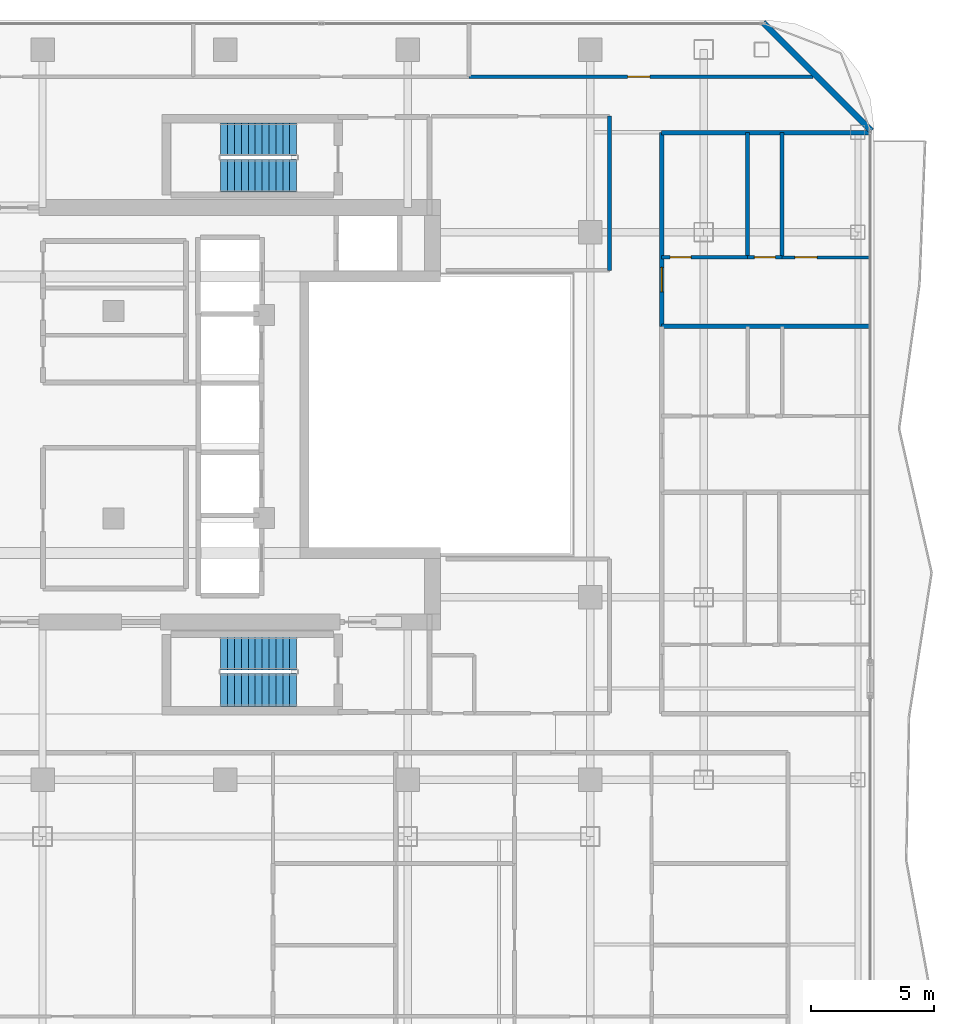
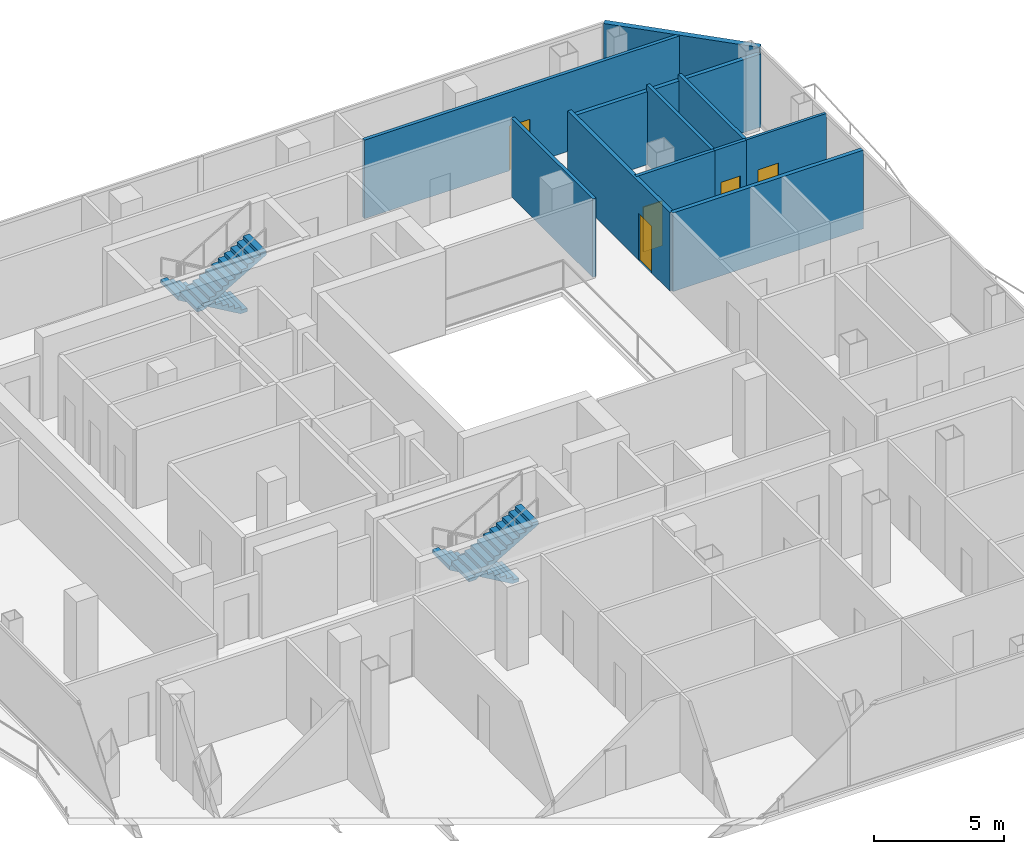
# One storey, part 24 of 27: 11 walls, 5 doors, 4 stair flights, 5 openings, 2 elements without a shape of their own.
"""IFC4 building model written with IfcOpenShell, lengths in metres."""

from ifc_helpers import new_model, si_unit, direction, frame, frame_2d, origin, place, context, subcontext, project, spatial, polyline, rectangle, outline, extrude, material, layer, layer_set, type_object, element, fill, aggregate, save


model = new_model("IFC4")

# Units and contexts
model_context = context("Model", 3, precision=1e-05, world=origin(), true_north=direction((0.0, 1.0)))
body_context = subcontext(model_context, "Body", "Model", "MODEL_VIEW")
ifc_project = project(units=[si_unit("LENGTHUNIT", "METRE"), si_unit("AREAUNIT", "SQUARE_METRE"), si_unit("VOLUMEUNIT", "CUBIC_METRE"), si_unit("PLANEANGLEUNIT", "RADIAN"), si_unit("MASSUNIT", "GRAM", prefix="KILO")], contexts=[model_context])

# Site, building, storey
site_placement = place(None, origin())
site = spatial("IfcSite", under=ifc_project, at=site_placement, CompositionType="ELEMENT")
building_placement = place(site_placement, origin())
building = spatial("IfcBuilding", under=site, at=building_placement, Name="Khorvyn Point Tower", CompositionType="ELEMENT")
storey_placement = place(building_placement, frame((0.0, 0.0, 246.89990234375)))
storey = spatial("IfcBuildingStorey", under=building, at=storey_placement, Name="L60", CompositionType="ELEMENT", Elevation=246.89990234375)

# Wall, opening, door
ifc_material_1 = material(Name="Double acoustic gypsum on twin steel stud", Category="steel")
ifc_layer_1 = layer(ifc_material_1, 0.179931640625)
ifc_layer_set_1 = layer_set([ifc_layer_1], Name="Acoustic Double-Stud Apartment Demising Wall 180")
wall_type_1 = type_object("IfcWallType", Name="Acoustic Double-Stud Apartment Demising Wall 180", PredefinedType="PARTITIONING", material=ifc_layer_set_1)
wall_1_placement = place(storey_placement, frame((17.699951171875, 3.580078125, 0.0), z_axis=(0.0, 0.0, 1.0), x_axis=(0.0, 1.0, 0.0)))
wall_1 = element("IfcWall", 1, at=wall_1_placement, inside=storey, type_object=wall_type_1, Name="Wall", PredefinedType="PARTITIONING", context=body_context, shape_type="SweptSolid", body=[
    extrude(rectangle(XDim=7.849853515625, YDim=0.179931640625, at=frame_2d((3.9248046875, 0.0))), origin(), (0.0, 0.0, 1.0), 3.68017578125),
])
opening_1_placement = place(wall_1_placement, frame((1.3955078125, 0.0, 0.0)))
opening_1 = element("IfcOpeningElement", 2, at=opening_1_placement, cuts=wall_1, Name="Opening ID-AP60", PredefinedType="OPENING", context=body_context, shape_type="SweptSolid", body=[
    extrude(rectangle(XDim=1.0, YDim=2.199951171875, at=frame_2d((0.5, 1.10009765625))), frame((0.0, 0.099853515625, 0.0), z_axis=(0.0, -1.0, 0.0), x_axis=(1.0, 0.0, 0.0)), (0.0, 0.0, 1.0), 0.199951171875),
])
ifc_material_2 = material(Name="Engineered hardwood fire-rated leaf", Category="wood")
door_type_1 = type_object("IfcDoorType", Name="Acoustic Solid-Core Timber Apartment Entrance Door 1000x2200", OperationType="NOTDEFINED", PredefinedType="DOOR", material=ifc_material_2)
door_1_placement = place(opening_1_placement, origin())
door_1 = element("IfcDoor", 3, at=door_1_placement, inside=storey, type_object=door_type_1, Name="Door", OperationType="SINGLE_SWING_RIGHT", OverallHeight=2.199951171875, OverallWidth=1.0, PredefinedType="DOOR", context=body_context, shape_type="SweptSolid", body=[
    extrude(rectangle(XDim=1.0, YDim=2.199951171875, at=frame_2d((0.5, 1.10009765625))), frame((0.0, 0.02490234375, 0.0), z_axis=(0.0, -1.0, 0.0), x_axis=(1.0, 0.0, 0.0)), (0.0, 0.0, 1.0), 0.050048828125),
])
fill(opening_1, door_1)

# Walls
wall_2_placement = place(storey_placement, frame((17.699951171875, 3.580078125, 0.0), z_axis=(0.0, 0.0, 1.0), x_axis=(1.0, 0.0, 0.0)))
element("IfcWall", 4, at=wall_2_placement, inside=storey, type_object=wall_type_1, Name="Wall", PredefinedType="PARTITIONING", context=body_context, shape_type="SweptSolid", body=[
    extrude(rectangle(XDim=8.429931640625, YDim=0.179931640625, at=frame_2d((4.21484375, 0.0))), origin(), (0.0, 0.0, 1.0), 3.68017578125),
])
wall_3_placement = place(storey_placement, frame((17.699951171875, 11.429931640625, 0.0), z_axis=(0.0, 0.0, 1.0), x_axis=(1.0, 0.0, 0.0)))
element("IfcWall", 5, at=wall_3_placement, inside=storey, type_object=wall_type_1, Name="Wall", PredefinedType="PARTITIONING", context=body_context, shape_type="SweptSolid", body=[
    extrude(rectangle(XDim=8.429931640625, YDim=0.179931640625, at=frame_2d((4.21484375, 0.0))), origin(), (0.0, 0.0, 1.0), 3.420166015625),
])
ifc_material_3 = material(Name="Pale anodised aluminium rainscreen on steel stud", Category="steel")
ifc_layer_2 = layer(ifc_material_3, 0.239990234375)
ifc_layer_set_2 = layer_set([ifc_layer_2], Name="Anodised Aluminium Insulated Corner Spandrel Wall 240")
wall_type_2 = type_object("IfcWallType", Name="Anodised Aluminium Insulated Corner Spandrel Wall 240", PredefinedType="SOLIDWALL", material=ifc_layer_set_2)
wall_4_placement = place(storey_placement, frame((21.8076171875, 15.892333984375, 0.0), z_axis=(0.0, 0.0, 1.0), x_axis=(0.707106781187, -0.707106781187, 0.0)))
element("IfcWall", 6, at=wall_4_placement, inside=storey, type_object=wall_type_2, Name="L60 Rounded Corner Wall NE", PredefinedType="SOLIDWALL", context=body_context, shape_type="SweptSolid", body=[
    extrude(rectangle(XDim=6.200927734375, YDim=0.239990234375, at=frame_2d((3.1005859375, 0.0))), origin(), (0.0, 0.0, 1.0), 3.68017578125),
])

# Wall, opening, door
ifc_material_4 = material(Name="Gypsum plasterboard on steel stud", Category="steel")
ifc_layer_3 = layer(ifc_material_4, 0.1201171875)
ifc_layer_set_3 = layer_set([ifc_layer_3], Name="Gypsum Acoustic Stud Room Partition Wall 120")
wall_type_3 = type_object("IfcWallType", Name="Gypsum Acoustic Stud Room Partition Wall 120", PredefinedType="PARTITIONING", material=ifc_layer_set_3)
wall_5_placement = place(storey_placement, frame((22.577880859375, 6.3798828125, 0.0), z_axis=(0.0, 0.0, 1.0), x_axis=(1.0, 0.0, 0.0)))
wall_5 = element("IfcWall", 7, at=wall_5_placement, inside=storey, type_object=wall_type_3, Name="Wall", PredefinedType="PARTITIONING", context=body_context, shape_type="SweptSolid", body=[
    extrude(rectangle(XDim=3.552001953125, YDim=0.1201171875, at=frame_2d((1.77587890625, 0.0))), origin(), (0.0, 0.0, 1.0), 3.68017578125),
])
opening_2_placement = place(wall_5_placement, frame((0.518798828125, 0.0, 0.0)))
opening_2 = element("IfcOpeningElement", 8, at=opening_2_placement, cuts=wall_5, Name="Opening ID-RM90", PredefinedType="OPENING", context=body_context, shape_type="SweptSolid", body=[
    extrude(rectangle(XDim=0.89990234375, YDim=2.10009765625, at=frame_2d((0.449951171875, 1.050048828125))), frame((0.0, 0.070068359375, 0.0), z_axis=(0.0, -1.0, 0.0), x_axis=(1.0, 0.0, 0.0)), (0.0, 0.0, 1.0), 0.14013671875),
])
ifc_material_5 = material(Name="Engineered oak veneer timber", Category="wood")
door_type_2 = type_object("IfcDoorType", Name="Flush Engineered Timber Room Door 900x2100", OperationType="NOTDEFINED", PredefinedType="DOOR", material=ifc_material_5)
door_2_placement = place(opening_2_placement, origin())
door_2 = element("IfcDoor", 9, at=door_2_placement, inside=storey, type_object=door_type_2, Name="Door", OperationType="SINGLE_SWING_LEFT", OverallHeight=2.10009765625, OverallWidth=0.89990234375, PredefinedType="DOOR", context=body_context, shape_type="SweptSolid", body=[
    extrude(rectangle(XDim=0.89990234375, YDim=2.10009765625, at=frame_2d((0.449951171875, 1.050048828125))), frame((0.0, 0.02490234375, 0.0), z_axis=(0.0, -1.0, 0.0), x_axis=(1.0, 0.0, 0.0)), (0.0, 0.0, 1.0), 0.050048828125),
])
fill(opening_2, door_2)

ifc_material_6 = material(Name="Moisture-resistant gypsum and cement board", Category="gypsum")
ifc_layer_4 = layer(ifc_material_6, 0.14990234375)
ifc_layer_set_4 = layer_set([ifc_layer_4], Name="Moisture-Resistant Wet-Room Partition Wall 150")
wall_type_4 = type_object("IfcWallType", Name="Moisture-Resistant Wet-Room Partition Wall 150", PredefinedType="PARTITIONING", material=ifc_layer_set_4)
wall_6_placement = place(storey_placement, frame((9.89111328125, 13.699951171875, 0.0), z_axis=(0.0, 0.0, 1.0), x_axis=(1.0, 0.0, 0.0)))
wall_6 = element("IfcWall", 10, at=wall_6_placement, inside=storey, type_object=wall_type_4, Name="Wall", PredefinedType="PARTITIONING", context=body_context, shape_type="SweptSolid", body=[
    extrude(rectangle(XDim=13.93896484375, YDim=0.14990234375, at=frame_2d((6.969482421875, 0.0))), origin(), (0.0, 0.0, 1.0), 3.68017578125),
])
opening_3_placement = place(wall_6_placement, frame((6.429931640625, 0.0, 0.0)))
opening_3 = element("IfcOpeningElement", 11, at=opening_3_placement, cuts=wall_6, Name="Opening ID-RM90", PredefinedType="OPENING", context=body_context, shape_type="SweptSolid", body=[
    extrude(rectangle(XDim=0.89990234375, YDim=2.10009765625, at=frame_2d((0.449951171875, 1.050048828125))), frame((0.0, 0.0849609375, 0.0), z_axis=(0.0, -1.0, 0.0), x_axis=(1.0, 0.0, 0.0)), (0.0, 0.0, 1.0), 0.169921875),
])
door_3_placement = place(opening_3_placement, origin())
door_3 = element("IfcDoor", 12, at=door_3_placement, inside=storey, type_object=door_type_2, Name="Door", OperationType="SINGLE_SWING_LEFT", OverallHeight=2.10009765625, OverallWidth=0.89990234375, PredefinedType="DOOR", context=body_context, shape_type="SweptSolid", body=[
    extrude(rectangle(XDim=0.89990234375, YDim=2.10009765625, at=frame_2d((0.449951171875, 1.050048828125))), frame((0.0, 0.02490234375, 0.0), z_axis=(0.0, -1.0, 0.0), x_axis=(1.0, 0.0, 0.0)), (0.0, 0.0, 1.0), 0.050048828125),
])
fill(opening_3, door_3)

wall_7_placement = place(storey_placement, frame((17.699951171875, 6.3798828125, 0.0), z_axis=(0.0, 0.0, 1.0), x_axis=(1.0, 0.0, 0.0)))
wall_7 = element("IfcWall", 13, at=wall_7_placement, inside=storey, type_object=wall_type_4, Name="Wall", PredefinedType="PARTITIONING", context=body_context, shape_type="SweptSolid", body=[
    extrude(rectangle(XDim=3.47802734375, YDim=0.14990234375, at=frame_2d((1.739013671875, 0.0))), origin(), (0.0, 0.0, 1.0), 3.68017578125),
])
opening_4_placement = place(wall_7_placement, frame((0.33740234375, 0.0, 0.0)))
opening_4 = element("IfcOpeningElement", 14, at=opening_4_placement, cuts=wall_7, Name="Opening ID-WC85", PredefinedType="OPENING", context=body_context, shape_type="SweptSolid", body=[
    extrude(rectangle(XDim=0.85009765625, YDim=2.10009765625, at=frame_2d((0.425048828125, 1.050048828125))), frame((0.0, 0.0849609375, 0.0), z_axis=(0.0, -1.0, 0.0), x_axis=(1.0, 0.0, 0.0)), (0.0, 0.0, 1.0), 0.169921875),
])
ifc_material_7 = material(Name="High-pressure laminate on moisture-resistant core", Category="wood")
door_type_3 = type_object("IfcDoorType", Name="Moisture-Resistant Accessible Washroom Door 850x2100", OperationType="NOTDEFINED", PredefinedType="DOOR", material=ifc_material_7)
door_4_placement = place(opening_4_placement, origin())
door_4 = element("IfcDoor", 15, at=door_4_placement, inside=storey, type_object=door_type_3, Name="Door", OperationType="SINGLE_SWING_LEFT", OverallHeight=2.10009765625, OverallWidth=0.85009765625, PredefinedType="DOOR", context=body_context, shape_type="SweptSolid", body=[
    extrude(rectangle(XDim=0.85009765625, YDim=2.10009765625, at=frame_2d((0.425048828125, 1.050048828125))), frame((0.0, 0.02490234375, 0.0), z_axis=(0.0, -1.0, 0.0), x_axis=(1.0, 0.0, 0.0)), (0.0, 0.0, 1.0), 0.050048828125),
])
fill(opening_4, door_4)

wall_8_placement = place(storey_placement, frame((21.177978515625, 6.3798828125, 0.0), z_axis=(0.0, 0.0, 1.0), x_axis=(1.0, 0.0, 0.0)))
wall_8 = element("IfcWall", 16, at=wall_8_placement, inside=storey, type_object=wall_type_4, Name="Wall", PredefinedType="PARTITIONING", context=body_context, shape_type="SweptSolid", body=[
    extrude(rectangle(XDim=1.39990234375, YDim=0.14990234375, at=frame_2d((0.699951171875, 0.0))), origin(), (0.0, 0.0, 1.0), 3.68017578125),
])
opening_5_placement = place(wall_8_placement, frame((0.27490234375, 0.0, 0.0)))
opening_5 = element("IfcOpeningElement", 17, at=opening_5_placement, cuts=wall_8, Name="Opening ID-WC85", PredefinedType="OPENING", context=body_context, shape_type="SweptSolid", body=[
    extrude(rectangle(XDim=0.85009765625, YDim=2.10009765625, at=frame_2d((0.425048828125, 1.050048828125))), frame((0.0, 0.0849609375, 0.0), z_axis=(0.0, -1.0, 0.0), x_axis=(1.0, 0.0, 0.0)), (0.0, 0.0, 1.0), 0.169921875),
])
door_5_placement = place(opening_5_placement, origin())
door_5 = element("IfcDoor", 18, at=door_5_placement, inside=storey, type_object=door_type_3, Name="Door", OperationType="SINGLE_SWING_RIGHT", OverallHeight=2.10009765625, OverallWidth=0.85009765625, PredefinedType="DOOR", context=body_context, shape_type="SweptSolid", body=[
    extrude(rectangle(XDim=0.85009765625, YDim=2.10009765625, at=frame_2d((0.425048828125, 1.050048828125))), frame((0.0, 0.02490234375, 0.0), z_axis=(0.0, -1.0, 0.0), x_axis=(1.0, 0.0, 0.0)), (0.0, 0.0, 1.0), 0.050048828125),
])
fill(opening_5, door_5)

# Walls
wall_9_placement = place(storey_placement, frame((15.580078125, 5.85009765625, 0.0), z_axis=(0.0, 0.0, 1.0), x_axis=(0.0, 1.0, 0.0)))
element("IfcWall", 19, at=wall_9_placement, inside=storey, type_object=wall_type_4, Name="Wall", PredefinedType="PARTITIONING", context=body_context, shape_type="SweptSolid", body=[
    extrude(rectangle(XDim=6.25, YDim=0.14990234375, at=frame_2d((3.125, 0.0))), origin(), (0.0, 0.0, 1.0), 3.68017578125),
])
for number, where, z_axis, x_axis, name in (
    (20, (21.177978515625, 6.3798828125, 0.0), (0.0, 0.0, 1.0), (0.0, 1.0, 0.0), "Wall"),
    (21, (22.577880859375, 6.3798828125, 0.0), (0.0, 0.0, 1.0), (0.0, 1.0, 0.0), "Wall"),
):
    element("IfcWall", number, at=place(storey_placement, frame(where, z_axis=z_axis, x_axis=x_axis)), inside=storey, type_object=wall_type_4, Name=name, PredefinedType="PARTITIONING", context=body_context, shape_type="SweptSolid", body=[
        extrude(rectangle(XDim=5.050048828125, YDim=0.14990234375, at=frame_2d((2.52490234375, 0.0))), origin(), (0.0, 0.0, 1.0), 3.68017578125),
    ])

# Stair, stair flights
ifc_material_8 = material(Name="Concrete C40/50", Category="concrete")
stair_type = type_object("IfcStairType", Name="Tower Concrete C40/50 Dogleg Exit Stair", PredefinedType="HALF_TURN_STAIR", material=ifc_material_8)
stair_1_placement = place(storey_placement, origin())
stair_1 = element("IfcStair", 22, at=stair_1_placement, inside=storey, type_object=stair_type, Name="L60 Tower Smokeproof Exit Stair South", PredefinedType="HALF_TURN_STAIR")
stair_flight_type = type_object("IfcStairFlightType", Name="Tower Concrete C40/50 Stair Flight", PredefinedType="STRAIGHT", material=ifc_material_8)
stair_flight_1_placement = place(storey_placement, frame((2.89990234375, -9.679931640625, 0.0), z_axis=(0.0, 0.0, 1.0), x_axis=(-1.0, 0.0, 0.0)))
stair_flight_1 = element("IfcStairFlight", 23, at=stair_flight_1_placement, type_object=stair_flight_type, Name="ST-01 flight 1", NumberOfRisers=12, NumberOfTreads=11, PredefinedType="STRAIGHT", RiserHeight=0.1625, TreadLength=0.28, context=body_context, shape_type="SweptSolid", body=[
    extrude(outline(polyline([(0.0, 0.0), (0.0, 0.16259765625), (0.280029296875, 0.16259765625), (0.280029296875, 0.324951171875), (0.56005859375, 0.324951171875), (0.56005859375, 0.487548828125), (0.840087890625, 0.487548828125), (0.840087890625, 0.64990234375), (1.1201171875, 0.64990234375), (1.1201171875, 0.8125), (1.39990234375, 0.8125), (1.39990234375, 0.97509765625), (1.679931640625, 0.97509765625), (1.679931640625, 1.137451171875), (1.9599609375, 1.137451171875), (1.9599609375, 1.300048828125), (2.239990234375, 1.300048828125), (2.239990234375, 1.46240234375), (2.52001953125, 1.46240234375), (2.52001953125, 1.625), (2.800048828125, 1.625), (2.800048828125, 1.78759765625), (3.080078125, 1.78759765625), (3.080078125, 1.949951171875), (3.080078125, 1.6142578125), (0.298583984375, 0.0), (0.0, 0.0)])), frame((0.0, 0.66015625, 0.0), z_axis=(0.0, -1.0, 0.0), x_axis=(1.0, 0.0, 0.0)), (0.0, 0.0, 1.0), 1.320068359375),
])
stair_flight_2_placement = place(storey_placement, frame((-0.179931640625, -11.159912109375, 1.9501953125), z_axis=(0.0, 0.0, 1.0), x_axis=(1.0, 0.0, 0.0)))
stair_flight_2 = element("IfcStairFlight", 24, at=stair_flight_2_placement, type_object=stair_flight_type, Name="ST-01 flight 2", NumberOfRisers=12, NumberOfTreads=11, PredefinedType="STRAIGHT", RiserHeight=0.1625, TreadLength=0.28, context=body_context, shape_type="SweptSolid", body=[
    extrude(outline(polyline([(0.0, 0.0), (0.0, 0.16259765625), (0.280029296875, 0.16259765625), (0.280029296875, 0.324951171875), (0.56005859375, 0.324951171875), (0.56005859375, 0.487548828125), (0.840087890625, 0.487548828125), (0.840087890625, 0.64990234375), (1.1201171875, 0.64990234375), (1.1201171875, 0.8125), (1.39990234375, 0.8125), (1.39990234375, 0.97509765625), (1.679931640625, 0.97509765625), (1.679931640625, 1.137451171875), (1.9599609375, 1.137451171875), (1.9599609375, 1.300048828125), (2.239990234375, 1.300048828125), (2.239990234375, 1.46240234375), (2.52001953125, 1.46240234375), (2.52001953125, 1.625), (2.800048828125, 1.625), (2.800048828125, 1.78759765625), (3.080078125, 1.78759765625), (3.080078125, 1.949951171875), (3.080078125, 1.6142578125), (0.298583984375, 0.0), (0.0, 0.0)])), frame((0.0, 0.66015625, 0.0), z_axis=(0.0, -1.0, 0.0), x_axis=(1.0, 0.0, 0.0)), (0.0, 0.0, 1.0), 1.320068359375),
])
aggregate(stair_1, [stair_flight_1, stair_flight_2])

stair_2_placement = place(storey_placement, origin())
stair_2 = element("IfcStair", 25, at=stair_2_placement, inside=storey, type_object=stair_type, Name="L60 Tower Smokeproof Exit Stair North", PredefinedType="HALF_TURN_STAIR")
stair_flight_3_placement = place(storey_placement, frame((2.89990234375, 11.159912109375, 0.0), z_axis=(0.0, 0.0, 1.0), x_axis=(-1.0, 0.0, 0.0)))
stair_flight_3 = element("IfcStairFlight", 26, at=stair_flight_3_placement, type_object=stair_flight_type, Name="ST-02 flight 1", NumberOfRisers=12, NumberOfTreads=11, PredefinedType="STRAIGHT", RiserHeight=0.1625, TreadLength=0.28, context=body_context, shape_type="SweptSolid", body=[
    extrude(outline(polyline([(0.0, 0.0), (0.0, 0.16259765625), (0.280029296875, 0.16259765625), (0.280029296875, 0.324951171875), (0.56005859375, 0.324951171875), (0.56005859375, 0.487548828125), (0.840087890625, 0.487548828125), (0.840087890625, 0.64990234375), (1.1201171875, 0.64990234375), (1.1201171875, 0.8125), (1.39990234375, 0.8125), (1.39990234375, 0.97509765625), (1.679931640625, 0.97509765625), (1.679931640625, 1.137451171875), (1.9599609375, 1.137451171875), (1.9599609375, 1.300048828125), (2.239990234375, 1.300048828125), (2.239990234375, 1.46240234375), (2.52001953125, 1.46240234375), (2.52001953125, 1.625), (2.800048828125, 1.625), (2.800048828125, 1.78759765625), (3.080078125, 1.78759765625), (3.080078125, 1.949951171875), (3.080078125, 1.6142578125), (0.298583984375, 0.0), (0.0, 0.0)])), frame((0.0, 0.66015625, 0.0), z_axis=(0.0, -1.0, 0.0), x_axis=(1.0, 0.0, 0.0)), (0.0, 0.0, 1.0), 1.320068359375),
])
stair_flight_4_placement = place(storey_placement, frame((-0.179931640625, 9.679931640625, 1.9501953125), z_axis=(0.0, 0.0, 1.0), x_axis=(1.0, 0.0, 0.0)))
stair_flight_4 = element("IfcStairFlight", 27, at=stair_flight_4_placement, type_object=stair_flight_type, Name="ST-02 flight 2", NumberOfRisers=12, NumberOfTreads=11, PredefinedType="STRAIGHT", RiserHeight=0.1625, TreadLength=0.28, context=body_context, shape_type="SweptSolid", body=[
    extrude(outline(polyline([(0.0, 0.0), (0.0, 0.16259765625), (0.280029296875, 0.16259765625), (0.280029296875, 0.324951171875), (0.56005859375, 0.324951171875), (0.56005859375, 0.487548828125), (0.840087890625, 0.487548828125), (0.840087890625, 0.64990234375), (1.1201171875, 0.64990234375), (1.1201171875, 0.8125), (1.39990234375, 0.8125), (1.39990234375, 0.97509765625), (1.679931640625, 0.97509765625), (1.679931640625, 1.137451171875), (1.9599609375, 1.137451171875), (1.9599609375, 1.300048828125), (2.239990234375, 1.300048828125), (2.239990234375, 1.46240234375), (2.52001953125, 1.46240234375), (2.52001953125, 1.625), (2.800048828125, 1.625), (2.800048828125, 1.78759765625), (3.080078125, 1.78759765625), (3.080078125, 1.949951171875), (3.080078125, 1.6142578125), (0.298583984375, 0.0), (0.0, 0.0)])), frame((0.0, 0.66015625, 0.0), z_axis=(0.0, -1.0, 0.0), x_axis=(1.0, 0.0, 0.0)), (0.0, 0.0, 1.0), 1.320068359375),
])
aggregate(stair_2, [stair_flight_3, stair_flight_4])

save(model, "model.ifc")
